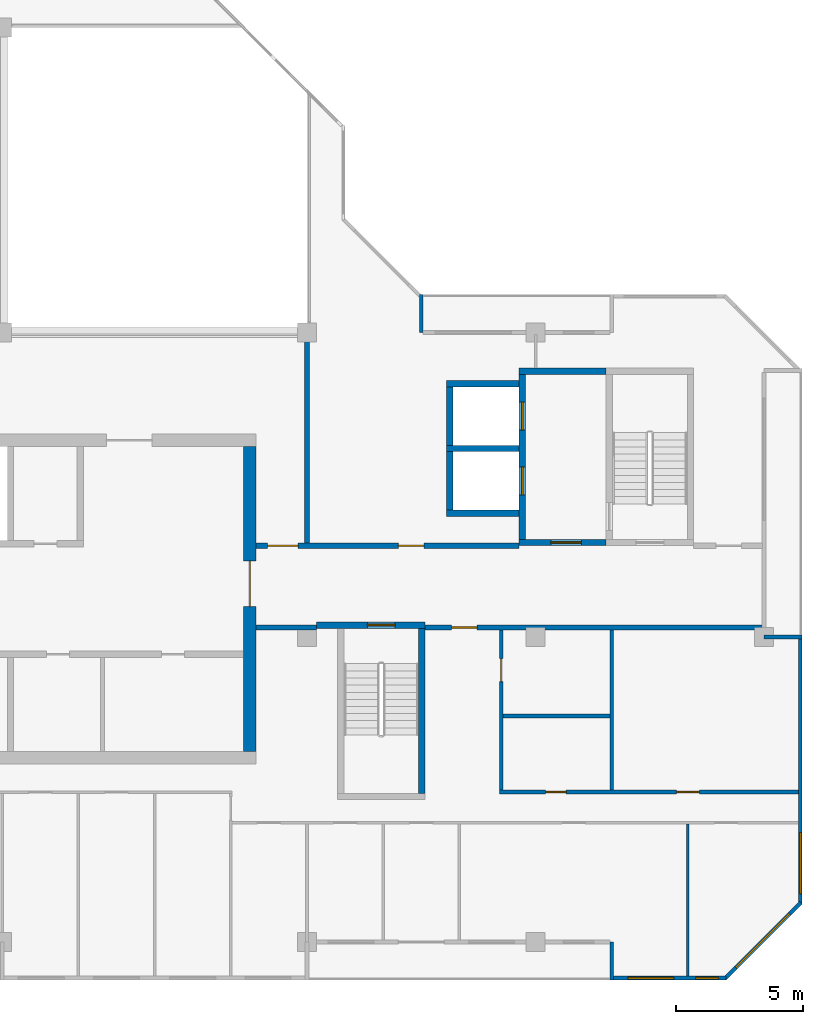
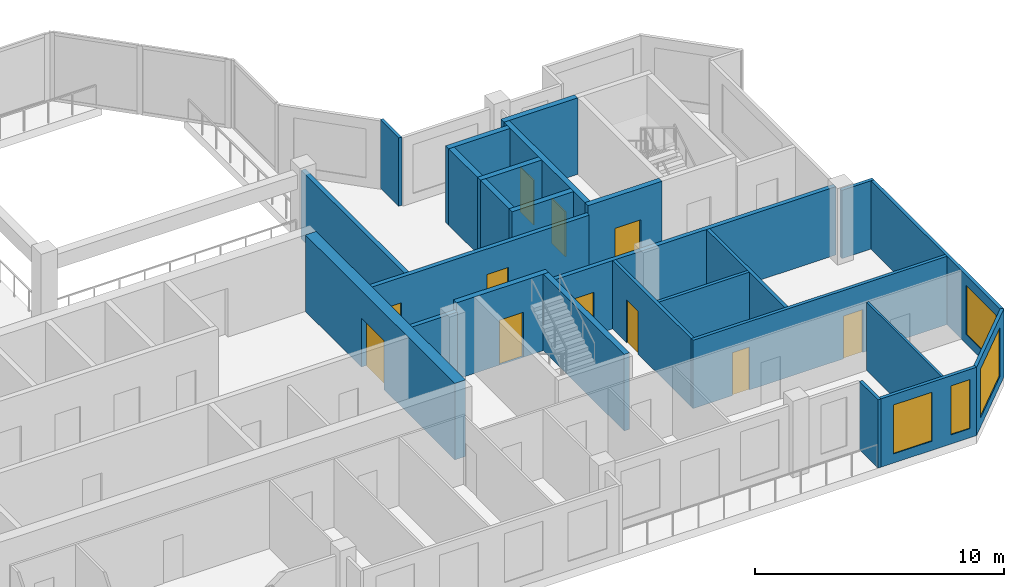
# One storey, part 6 of 12: 26 walls, 11 doors, 4 windows, 15 openings.
"""IFC4 building model written with IfcOpenShell, lengths in metres."""

from ifc_helpers import new_model, si_unit, direction, frame, frame_2d, origin, place, context, subcontext, project, spatial, rectangle, extrude, material, layer, layer_set, type_object, element, fill, save


model = new_model("IFC4")

# Units and contexts
model_context = context("Model", 3, precision=1e-05, world=origin(), true_north=direction((0.0, 1.0)))
body_context = subcontext(model_context, "Body", "Model", "MODEL_VIEW")
ifc_project = project(units=[si_unit("LENGTHUNIT", "METRE"), si_unit("AREAUNIT", "SQUARE_METRE"), si_unit("VOLUMEUNIT", "CUBIC_METRE"), si_unit("PLANEANGLEUNIT", "RADIAN"), si_unit("MASSUNIT", "GRAM", prefix="KILO")], contexts=[model_context])

# Site, building, storey
site_placement = place(None, origin())
site = spatial("IfcSite", under=ifc_project, at=site_placement, CompositionType="ELEMENT")
building_placement = place(site_placement, origin())
building = spatial("IfcBuilding", under=site, at=building_placement, Name="Chenar Terraces", CompositionType="ELEMENT")
storey_placement = place(building_placement, frame((0.0, 0.0, 365.14990234375)))
storey = spatial("IfcBuildingStorey", under=building, at=storey_placement, Name="L85", CompositionType="ELEMENT", Elevation=365.14990234375)

# Wall, opening, door
ifc_material_1 = material(Name="Concrete C50/60", Category="concrete")
ifc_layer_1 = layer(ifc_material_1, 0.25)
ifc_layer_set_1 = layer_set([ifc_layer_1], Name="Concrete C50/60")
wall_type_1 = type_object("IfcWallType", Name="Core wall 250 Concrete C50/60", PredefinedType="SHEAR", material=ifc_layer_set_1)
wall_1_placement = place(storey_placement, frame((36.375, 12.47509765625, 0.0), z_axis=(0.0, 0.0, 1.0), x_axis=(1.0, 0.0, 0.0)))
wall_1 = element("IfcWall", 1, at=wall_1_placement, inside=storey, type_object=wall_type_1, Name="Core wall ST2_N L85", PredefinedType="SHEAR", context=body_context, shape_type="SweptSolid", body=[
    extrude(rectangle(XDim=4.27490234375, YDim=0.25, at=frame_2d((2.137451171875, 0.0))), origin(), (0.0, 0.0, 1.0), 3.75),
])
opening_1_placement = place(wall_1_placement, frame((2.0, 0.0, 0.0)))
opening_1 = element("IfcOpeningElement", 2, at=opening_1_placement, cuts=wall_1, Name="Opening DL85-C7", PredefinedType="OPENING", context=body_context, shape_type="SweptSolid", body=[
    extrude(rectangle(XDim=1.10009765625, YDim=2.199951171875, at=frame_2d((0.550048828125, 1.10009765625))), frame((0.0, 0.135009765625, 0.0), z_axis=(0.0, -1.0, 0.0), x_axis=(1.0, 0.0, 0.0)), (0.0, 0.0, 1.0), 0.27001953125),
])
ifc_material_2 = material(Name="Steel-framed fire-resisting door leaf", Category="steel")
door_type_1 = type_object("IfcDoorType", Name="Stair fire door FD60 1100 x 2200", OperationType="SINGLE_SWING_LEFT", PredefinedType="DOOR", material=ifc_material_2)
door_1_placement = place(opening_1_placement, frame((1.10009765625, 0.0, 0.0), z_axis=(0.0, 0.0, 1.0), x_axis=(-1.0, 0.0, 0.0)))
door_1 = element("IfcDoor", 3, at=door_1_placement, inside=storey, type_object=door_type_1, Name="Stair door DL85-C7", OperationType="SINGLE_SWING_LEFT", OverallHeight=2.199951171875, OverallWidth=1.10009765625, PredefinedType="DOOR", context=body_context, shape_type="SweptSolid", body=[
    extrude(rectangle(XDim=1.10009765625, YDim=2.199951171875, at=frame_2d((0.550048828125, 1.10009765625))), frame((0.0, 0.02490234375, 0.0), z_axis=(0.0, -1.0, 0.0), x_axis=(1.0, 0.0, 0.0)), (0.0, 0.0, 1.0), 0.050048828125),
])
fill(opening_1, door_1)

# Wall
wall_2_placement = place(storey_placement, frame((40.52490234375, 5.85009765625, 0.0), z_axis=(0.0, 0.0, 1.0), x_axis=(0.0, 1.0, 0.0)))
element("IfcWall", 4, at=wall_2_placement, inside=storey, type_object=wall_type_1, Name="Core wall ST2_E L85", PredefinedType="SHEAR", context=body_context, shape_type="SweptSolid", body=[
    extrude(rectangle(XDim=6.5, YDim=0.25, at=frame_2d((3.25, 0.0))), origin(), (0.0, 0.0, 1.0), 3.75),
])

# Wall, opening, door
wall_3_placement = place(storey_placement, frame((44.35009765625, 15.72509765625, 0.0), z_axis=(0.0, 0.0, 1.0), x_axis=(1.0, 0.0, 0.0)))
wall_3 = element("IfcWall", 5, at=wall_3_placement, inside=storey, type_object=wall_type_1, Name="Core wall F3_LS L85", PredefinedType="SHEAR", context=body_context, shape_type="SweptSolid", body=[
    extrude(rectangle(XDim=3.4248046875, YDim=0.25, at=frame_2d((1.71240234375, 0.0))), origin(), (0.0, 0.0, 1.0), 3.75),
])
opening_2_placement = place(wall_3_placement, frame((1.25, 0.0, 0.0)))
opening_2 = element("IfcOpeningElement", 6, at=opening_2_placement, cuts=wall_3, Name="Opening DL85-C10", PredefinedType="OPENING", context=body_context, shape_type="SweptSolid", body=[
    extrude(rectangle(XDim=1.199951171875, YDim=2.199951171875, at=frame_2d((0.60009765625, 1.10009765625))), frame((0.0, 0.135009765625, 0.0), z_axis=(0.0, -1.0, 0.0), x_axis=(1.0, 0.0, 0.0)), (0.0, 0.0, 1.0), 0.27001953125),
])
ifc_material_3 = material(Name="Steel-framed fire-resisting door leaf", Category="steel")
door_type_2 = type_object("IfcDoorType", Name="Lobby fire door FD60 1200 x 2200", OperationType="SINGLE_SWING_LEFT", PredefinedType="DOOR", material=ifc_material_3)
door_2_placement = place(opening_2_placement, origin())
door_2 = element("IfcDoor", 7, at=door_2_placement, inside=storey, type_object=door_type_2, Name="Core door DL85-C10", OperationType="SINGLE_SWING_RIGHT", OverallHeight=2.199951171875, OverallWidth=1.199951171875, PredefinedType="DOOR", context=body_context, shape_type="SweptSolid", body=[
    extrude(rectangle(XDim=1.199951171875, YDim=2.199951171875, at=frame_2d((0.60009765625, 1.10009765625))), frame((0.0, 0.02490234375, 0.0), z_axis=(0.0, -1.0, 0.0), x_axis=(1.0, 0.0, 0.0)), (0.0, 0.0, 1.0), 0.050048828125),
])
fill(opening_2, door_2)

# Wall
wall_4_placement = place(storey_placement, frame((44.35009765625, 22.47509765625, 0.0), z_axis=(0.0, 0.0, 1.0), x_axis=(1.0, 0.0, 0.0)))
element("IfcWall", 8, at=wall_4_placement, inside=storey, type_object=wall_type_1, Name="Core wall F3_LN L85", PredefinedType="SHEAR", context=body_context, shape_type="SweptSolid", body=[
    extrude(rectangle(XDim=3.4248046875, YDim=0.25, at=frame_2d((1.71240234375, 0.0))), origin(), (0.0, 0.0, 1.0), 3.75),
])

# Wall, openings, doors
wall_5_placement = place(storey_placement, frame((44.47509765625, 15.85009765625, 0.0), z_axis=(0.0, 0.0, 1.0), x_axis=(0.0, 1.0, 0.0)))
wall_5 = element("IfcWall", 9, at=wall_5_placement, inside=storey, type_object=wall_type_1, Name="Core wall F3_LW L85", PredefinedType="SHEAR", context=body_context, shape_type="SweptSolid", body=[
    extrude(rectangle(XDim=6.5, YDim=0.25, at=frame_2d((3.25, 0.0))), origin(), (0.0, 0.0, 1.0), 3.75),
])
opening_3_placement = place(wall_5_placement, frame((1.75, 0.0, 0.0)))
opening_3 = element("IfcOpeningElement", 10, at=opening_3_placement, cuts=wall_5, Name="Opening DL85-LD8", PredefinedType="OPENING", context=body_context, shape_type="SweptSolid", body=[
    extrude(rectangle(XDim=1.10009765625, YDim=2.199951171875, at=frame_2d((0.550048828125, 1.10009765625))), frame((0.0, 0.135009765625, 0.0), z_axis=(0.0, -1.0, 0.0), x_axis=(1.0, 0.0, 0.0)), (0.0, 0.0, 1.0), 0.27001953125),
])
opening_4_placement = place(wall_5_placement, frame((4.300048828125, 0.0, 0.0)))
opening_4 = element("IfcOpeningElement", 11, at=opening_4_placement, cuts=wall_5, Name="Opening DL85-LD9", PredefinedType="OPENING", context=body_context, shape_type="SweptSolid", body=[
    extrude(rectangle(XDim=1.10009765625, YDim=2.199951171875, at=frame_2d((0.550048828125, 1.10009765625))), frame((0.0, 0.135009765625, 0.0), z_axis=(0.0, -1.0, 0.0), x_axis=(1.0, 0.0, 0.0)), (0.0, 0.0, 1.0), 0.27001953125),
])
ifc_material_4 = material(Name="Stainless steel", Category="steel")
door_type_3 = type_object("IfcDoorType", Name="Lift landing door 1100 x 2200 sliding", OperationType="DOUBLE_DOOR_SLIDING", PredefinedType="DOOR", material=ifc_material_4)
door_3_placement = place(opening_3_placement, origin())
door_3 = element("IfcDoor", 12, at=door_3_placement, inside=storey, type_object=door_type_3, Name="Landing door F3", OperationType="DOUBLE_DOOR_SLIDING", OverallHeight=2.199951171875, OverallWidth=1.10009765625, PredefinedType="DOOR", context=body_context, shape_type="SweptSolid", body=[
    extrude(rectangle(XDim=1.10009765625, YDim=2.199951171875, at=frame_2d((0.550048828125, 1.10009765625))), frame((0.0, 0.02490234375, 0.0), z_axis=(0.0, -1.0, 0.0), x_axis=(1.0, 0.0, 0.0)), (0.0, 0.0, 1.0), 0.050048828125),
])
fill(opening_3, door_3)
door_4_placement = place(opening_4_placement, origin())
door_4 = element("IfcDoor", 13, at=door_4_placement, inside=storey, type_object=door_type_3, Name="Landing door F4", OperationType="DOUBLE_DOOR_SLIDING", OverallHeight=2.199951171875, OverallWidth=1.10009765625, PredefinedType="DOOR", context=body_context, shape_type="SweptSolid", body=[
    extrude(rectangle(XDim=1.10009765625, YDim=2.199951171875, at=frame_2d((0.550048828125, 1.10009765625))), frame((0.0, 0.02490234375, 0.0), z_axis=(0.0, -1.0, 0.0), x_axis=(1.0, 0.0, 0.0)), (0.0, 0.0, 1.0), 0.050048828125),
])
fill(opening_4, door_4)

# Walls
for number, where, z_axis, x_axis, name in (
    (14, (41.5, 16.875, 0.0), (0.0, 0.0, 1.0), (1.0, 0.0, 0.0), "Core wall F3_SS L85"),
    (15, (41.5, 19.425048828125, 0.0), (0.0, 0.0, 1.0), (1.0, 0.0, 0.0), "Core wall F3_SM L85"),
    (16, (41.5, 21.97509765625, 0.0), (0.0, 0.0, 1.0), (1.0, 0.0, 0.0), "Core wall F4_SN L85"),
):
    element("IfcWall", number, at=place(storey_placement, frame(where, z_axis=z_axis, x_axis=x_axis)), inside=storey, type_object=wall_type_1, Name=name, PredefinedType="SHEAR", context=body_context, shape_type="SweptSolid", body=[
        extrude(rectangle(XDim=2.85009765625, YDim=0.25, at=frame_2d((1.425048828125, 0.0))), origin(), (0.0, 0.0, 1.0), 3.75),
    ])
for number, where, z_axis, x_axis, name in (
    (17, (41.625, 17.0, 0.0), (0.0, 0.0, 1.0), (0.0, 1.0, 0.0), "Core wall F3_SW L85"),
    (18, (41.625, 19.550048828125, 0.0), (0.0, 0.0, 1.0), (0.0, 1.0, 0.0), "Core wall F4_SW L85"),
):
    element("IfcWall", number, at=place(storey_placement, frame(where, z_axis=z_axis, x_axis=x_axis)), inside=storey, type_object=wall_type_1, Name=name, PredefinedType="SHEAR", context=body_context, shape_type="SweptSolid", body=[
        extrude(rectangle(XDim=2.300048828125, YDim=0.25, at=frame_2d((1.14990234375, 0.0))), origin(), (0.0, 0.0, 1.0), 3.75),
    ])

# Wall, opening, door
ifc_material_5 = material(Name="Concrete C50/60", Category="concrete")
ifc_layer_2 = layer(ifc_material_5, 0.5)
ifc_layer_set_2 = layer_set([ifc_layer_2], Name="Concrete C50/60")
wall_type_2 = type_object("IfcWallType", Name="Core wall 500 Concrete C50/60", PredefinedType="SHEAR", material=ifc_layer_set_2)
wall_6_placement = place(storey_placement, frame((33.75, 7.5, 0.0), z_axis=(0.0, 0.0, 1.0), x_axis=(0.0, 1.0, 0.0)))
wall_6 = element("IfcWall", 19, at=wall_6_placement, inside=storey, type_object=wall_type_2, Name="Core wall E L85", PredefinedType="SHEAR", context=body_context, shape_type="SweptSolid", body=[
    extrude(rectangle(XDim=12.0, YDim=0.5, at=frame_2d((6.0, 0.0))), origin(), (0.0, 0.0, 1.0), 3.75),
])
opening_5_placement = place(wall_6_placement, frame((5.699951171875, 0.0, 0.0)))
opening_5 = element("IfcOpeningElement", 20, at=opening_5_placement, cuts=wall_6, Name="Opening DL85-C1", PredefinedType="OPENING", context=body_context, shape_type="SweptSolid", body=[
    extrude(rectangle(XDim=1.800048828125, YDim=2.39990234375, at=frame_2d((0.89990234375, 1.199951171875))), frame((0.0, 0.260009765625, 0.0), z_axis=(0.0, -1.0, 0.0), x_axis=(1.0, 0.0, 0.0)), (0.0, 0.0, 1.0), 0.52001953125),
])
ifc_material_6 = material(Name="Steel-framed fire-resisting door leaf", Category="steel")
door_type_4 = type_object("IfcDoorType", Name="Core entrance double fire door FD60 1800 x 2400", OperationType="DOUBLE_DOOR_SINGLE_SWING", PredefinedType="DOOR", material=ifc_material_6)
door_5_placement = place(opening_5_placement, origin())
door_5 = element("IfcDoor", 21, at=door_5_placement, inside=storey, type_object=door_type_4, Name="Core door DL85-C1", OperationType="DOUBLE_DOOR_SINGLE_SWING", OverallHeight=2.39990234375, OverallWidth=1.800048828125, PredefinedType="DOOR", context=body_context, shape_type="SweptSolid", body=[
    extrude(rectangle(XDim=1.800048828125, YDim=2.39990234375, at=frame_2d((0.89990234375, 1.199951171875))), frame((0.0, 0.02490234375, 0.0), z_axis=(0.0, -1.0, 0.0), x_axis=(1.0, 0.0, 0.0)), (0.0, 0.0, 1.0), 0.050048828125),
])
fill(opening_5, door_5)

# Wall
ifc_material_7 = material(Name="Gypsum board on steel studs with fire boards", Category="steel")
ifc_layer_3 = layer(ifc_material_7, 0.199951171875)
ifc_layer_set_3 = layer_set([ifc_layer_3], Name="Gypsum board on steel studs with fire boards")
wall_type_3 = type_object("IfcWallType", Name="Corridor wall 200", PredefinedType="PARTITIONING", material=ifc_layer_set_3)
wall_7_placement = place(storey_placement, frame((34.0, 12.375, 0.0), z_axis=(0.0, 0.0, 1.0), x_axis=(1.0, 0.0, 0.0)))
element("IfcWall", 22, at=wall_7_placement, inside=storey, type_object=wall_type_3, Name="Partition L85-051", PredefinedType="PARTITIONING", context=body_context, shape_type="SweptSolid", body=[
    extrude(rectangle(XDim=2.3759765625, YDim=0.199951171875, at=frame_2d((1.18798828125, 0.0))), origin(), (0.0, 0.0, 1.0), 3.35009765625),
])

# Wall, openings, doors
wall_8_placement = place(storey_placement, frame((34.0, 15.60009765625, 0.0), z_axis=(0.0, 0.0, 1.0), x_axis=(1.0, 0.0, 0.0)))
wall_8 = element("IfcWall", 23, at=wall_8_placement, inside=storey, type_object=wall_type_3, Name="Partition L85-052", PredefinedType="PARTITIONING", context=body_context, shape_type="SweptSolid", body=[
    extrude(rectangle(XDim=10.35009765625, YDim=0.199951171875, at=frame_2d((5.175048828125, 0.0))), origin(), (0.0, 0.0, 1.0), 3.35009765625),
])
opening_6_placement = place(wall_8_placement, frame((5.60009765625, 0.0, 0.0)))
opening_6 = element("IfcOpeningElement", 24, at=opening_6_placement, cuts=wall_8, Name="Opening DL85-3", PredefinedType="OPENING", context=body_context, shape_type="SweptSolid", body=[
    extrude(rectangle(XDim=1.0, YDim=2.10009765625, at=frame_2d((0.5, 1.050048828125))), frame((0.0, 0.10986328125, 0.0), z_axis=(0.0, -1.0, 0.0), x_axis=(1.0, 0.0, 0.0)), (0.0, 0.0, 1.0), 0.219970703125),
])
opening_7_placement = place(wall_8_placement, frame((0.449951171875, 0.0, 0.0)))
opening_7 = element("IfcOpeningElement", 25, at=opening_7_placement, cuts=wall_8, Name="Opening DL85-19", PredefinedType="OPENING", context=body_context, shape_type="SweptSolid", body=[
    extrude(rectangle(XDim=1.199951171875, YDim=2.10009765625, at=frame_2d((0.60009765625, 1.050048828125))), frame((0.0, 0.10986328125, 0.0), z_axis=(0.0, -1.0, 0.0), x_axis=(1.0, 0.0, 0.0)), (0.0, 0.0, 1.0), 0.219970703125),
])
ifc_material_8 = material(Name="Steel-framed fire-resisting door leaf", Category="steel")
door_type_5 = type_object("IfcDoorType", Name="Fire door FD60 1000 x 2100", OperationType="SINGLE_SWING_LEFT", PredefinedType="DOOR", material=ifc_material_8)
door_6_placement = place(opening_6_placement, origin())
door_6 = element("IfcDoor", 26, at=door_6_placement, inside=storey, type_object=door_type_5, Name="Door DL85-3", OperationType="SINGLE_SWING_RIGHT", OverallHeight=2.10009765625, OverallWidth=1.0, PredefinedType="DOOR", context=body_context, shape_type="SweptSolid", body=[
    extrude(rectangle(XDim=1.0, YDim=2.10009765625, at=frame_2d((0.5, 1.050048828125))), frame((0.0, 0.02490234375, 0.0), z_axis=(0.0, -1.0, 0.0), x_axis=(1.0, 0.0, 0.0)), (0.0, 0.0, 1.0), 0.050048828125),
])
fill(opening_6, door_6)
ifc_material_9 = material(Name="Steel-framed fire-resisting door leaf", Category="steel")
door_type_6 = type_object("IfcDoorType", Name="Fire door FD60 1200 x 2100", OperationType="SINGLE_SWING_LEFT", PredefinedType="DOOR", material=ifc_material_9)
door_7_placement = place(opening_7_placement, origin())
door_7 = element("IfcDoor", 27, at=door_7_placement, inside=storey, type_object=door_type_6, Name="Door DL85-19", OperationType="SINGLE_SWING_RIGHT", OverallHeight=2.10009765625, OverallWidth=1.199951171875, PredefinedType="DOOR", context=body_context, shape_type="SweptSolid", body=[
    extrude(rectangle(XDim=1.199951171875, YDim=2.10009765625, at=frame_2d((0.60009765625, 1.050048828125))), frame((0.0, 0.02490234375, 0.0), z_axis=(0.0, -1.0, 0.0), x_axis=(1.0, 0.0, 0.0)), (0.0, 0.0, 1.0), 0.050048828125),
])
fill(opening_7, door_7)

# Wall
wall_9_placement = place(storey_placement, frame((36.0, 15.699951171875, 0.0), z_axis=(0.0, 0.0, 1.0), x_axis=(0.0, 1.0, 0.0)))
element("IfcWall", 28, at=wall_9_placement, inside=storey, type_object=wall_type_3, Name="Partition L85-054", PredefinedType="PARTITIONING", context=body_context, shape_type="SweptSolid", body=[
    extrude(rectangle(XDim=8.300048828125, YDim=0.199951171875, at=frame_2d((4.14990234375, 0.0))), origin(), (0.0, 0.0, 1.0), 3.35009765625),
])

# Wall, opening, door
wall_10_placement = place(storey_placement, frame((40.64990234375, 12.375, 0.0), z_axis=(0.0, 0.0, 1.0), x_axis=(1.0, 0.0, 0.0)))
wall_10 = element("IfcWall", 29, at=wall_10_placement, inside=storey, type_object=wall_type_3, Name="Partition L85-056", PredefinedType="PARTITIONING", context=body_context, shape_type="SweptSolid", body=[
    extrude(rectangle(XDim=13.276123046875, YDim=0.199951171875, at=frame_2d((6.63818359375, 0.0))), origin(), (0.0, 0.0, 1.0), 3.35009765625),
])
opening_8_placement = place(wall_10_placement, frame((1.050048828125, 0.0, 0.0)))
opening_8 = element("IfcOpeningElement", 30, at=opening_8_placement, cuts=wall_10, Name="Opening DL85-36", PredefinedType="OPENING", context=body_context, shape_type="SweptSolid", body=[
    extrude(rectangle(XDim=1.0, YDim=2.10009765625, at=frame_2d((0.5, 1.050048828125))), frame((0.0, 0.10986328125, 0.0), z_axis=(0.0, -1.0, 0.0), x_axis=(1.0, 0.0, 0.0)), (0.0, 0.0, 1.0), 0.219970703125),
])
ifc_material_10 = material(Name="Steel-framed fire-resisting door leaf", Category="steel")
door_type_7 = type_object("IfcDoorType", Name="Fire door FD30S 1000 x 2100", OperationType="SINGLE_SWING_LEFT", PredefinedType="DOOR", material=ifc_material_10)
door_8_placement = place(opening_8_placement, origin())
door_8 = element("IfcDoor", 31, at=door_8_placement, inside=storey, type_object=door_type_7, Name="Door DL85-36", OperationType="SINGLE_SWING_LEFT", OverallHeight=2.10009765625, OverallWidth=1.0, PredefinedType="DOOR", context=body_context, shape_type="SweptSolid", body=[
    extrude(rectangle(XDim=1.0, YDim=2.10009765625, at=frame_2d((0.5, 1.050048828125))), frame((0.0, 0.02490234375, 0.0), z_axis=(0.0, -1.0, 0.0), x_axis=(1.0, 0.0, 0.0)), (0.0, 0.0, 1.0), 0.050048828125),
])
fill(opening_8, door_8)

# Wall, openings, windows
ifc_material_11 = material(Name="Aluminium framed glazing", Category="aluminium")
ifc_layer_4 = layer(ifc_material_11, 0.14990234375)
ifc_layer_set_4 = layer_set([ifc_layer_4], Name="Aluminium framed glazing")
wall_type_4 = type_object("IfcWallType", Name="Glazed flush facade wall 150", PredefinedType="SOLIDWALL", material=ifc_layer_set_4)
wall_11_placement = place(storey_placement, frame((48.074951171875, -1.425048828125, 0.0), z_axis=(0.0, 0.0, 1.0), x_axis=(1.0, 0.0, 0.0)))
wall_11 = element("IfcWall", 32, at=wall_11_placement, inside=storey, type_object=wall_type_4, Name="Glazed flush facade wall", PredefinedType="SOLIDWALL", context=body_context, shape_type="SweptSolid", body=[
    extrude(rectangle(XDim=4.425048828125, YDim=0.14990234375, at=frame_2d((2.21240234375, 0.0))), origin(), (0.0, 0.0, 1.0), 3.35009765625),
])
opening_9_placement = place(wall_11_placement, frame((0.5625, 0.0, 0.449951171875)))
opening_9 = element("IfcOpeningElement", 33, at=opening_9_placement, cuts=wall_11, Name="Opening W180x240", PredefinedType="OPENING", context=body_context, shape_type="SweptSolid", body=[
    extrude(rectangle(XDim=1.800048828125, YDim=2.39990234375, at=frame_2d((0.89990234375, 1.199951171875))), frame((0.0, 0.0849609375, 0.0), z_axis=(0.0, -1.0, 0.0), x_axis=(1.0, 0.0, 0.0)), (0.0, 0.0, 1.0), 0.169921875),
])
opening_10_placement = place(wall_11_placement, frame((3.22509765625, 0.0, 0.449951171875)))
opening_10 = element("IfcOpeningElement", 34, at=opening_10_placement, cuts=wall_11, Name="Opening W90x240", PredefinedType="OPENING", context=body_context, shape_type="SweptSolid", body=[
    extrude(rectangle(XDim=0.89990234375, YDim=2.39990234375, at=frame_2d((0.449951171875, 1.199951171875))), frame((0.0, 0.0849609375, 0.0), z_axis=(0.0, -1.0, 0.0), x_axis=(1.0, 0.0, 0.0)), (0.0, 0.0, 1.0), 0.169921875),
])
ifc_material_12 = material(Name="Low emissivity double glazing, aluminium frame", Category="aluminium")
window_type_1 = type_object("IfcWindowType", Name="Fixed light 1800 x 2400", PartitioningType="SINGLE_PANEL", PredefinedType="WINDOW", material=ifc_material_12)
window_1_placement = place(opening_9_placement, origin())
window_1 = element("IfcWindow", 35, at=window_1_placement, inside=storey, type_object=window_type_1, Name="Window", OverallHeight=2.39990234375, OverallWidth=1.800048828125, PartitioningType="SINGLE_PANEL", PredefinedType="WINDOW", context=body_context, shape_type="SweptSolid", body=[
    extrude(rectangle(XDim=1.800048828125, YDim=2.39990234375, at=frame_2d((0.89990234375, 1.199951171875))), frame((0.0, 0.030029296875, 0.0), z_axis=(0.0, -1.0, 0.0), x_axis=(1.0, 0.0, 0.0)), (0.0, 0.0, 1.0), 0.06005859375),
])
fill(opening_9, window_1)
ifc_material_13 = material(Name="Low emissivity double glazing, aluminium frame", Category="aluminium")
window_type_2 = type_object("IfcWindowType", Name="Fixed light 900 x 2400", PartitioningType="SINGLE_PANEL", PredefinedType="WINDOW", material=ifc_material_13)
window_2_placement = place(opening_10_placement, origin())
window_2 = element("IfcWindow", 36, at=window_2_placement, inside=storey, type_object=window_type_2, Name="Window", OverallHeight=2.39990234375, OverallWidth=0.89990234375, PartitioningType="SINGLE_PANEL", PredefinedType="WINDOW", context=body_context, shape_type="SweptSolid", body=[
    extrude(rectangle(XDim=0.89990234375, YDim=2.39990234375, at=frame_2d((0.449951171875, 1.199951171875))), frame((0.0, 0.030029296875, 0.0), z_axis=(0.0, -1.0, 0.0), x_axis=(1.0, 0.0, 0.0)), (0.0, 0.0, 1.0), 0.06005859375),
])
fill(opening_10, window_2)

# Wall, opening, window
wall_12_placement = place(storey_placement, frame((55.425048828125, 1.5, 0.0), z_axis=(0.0, 0.0, 1.0), x_axis=(0.0, 1.0, 0.0)))
wall_12 = element("IfcWall", 37, at=wall_12_placement, inside=storey, type_object=wall_type_4, Name="Glazed flush facade wall", PredefinedType="SOLIDWALL", context=body_context, shape_type="SweptSolid", body=[
    extrude(rectangle(XDim=10.425048828125, YDim=0.14990234375, at=frame_2d((5.21240234375, 0.0))), origin(), (0.0, 0.0, 1.0), 3.35009765625),
])
opening_11_placement = place(wall_12_placement, frame((0.39990234375, 0.0, 0.449951171875)))
opening_11 = element("IfcOpeningElement", 38, at=opening_11_placement, cuts=wall_12, Name="Opening W240x240", PredefinedType="OPENING", context=body_context, shape_type="SweptSolid", body=[
    extrude(rectangle(XDim=2.39990234375, YDim=2.39990234375, at=frame_2d((1.199951171875, 1.199951171875))), frame((0.0, 0.0849609375, 0.0), z_axis=(0.0, -1.0, 0.0), x_axis=(1.0, 0.0, 0.0)), (0.0, 0.0, 1.0), 0.169921875),
])
ifc_material_14 = material(Name="Low emissivity double glazing, aluminium frame", Category="aluminium")
window_type_3 = type_object("IfcWindowType", Name="Fixed light 2400 x 2400", PartitioningType="SINGLE_PANEL", PredefinedType="WINDOW", material=ifc_material_14)
window_3_placement = place(opening_11_placement, origin())
window_3 = element("IfcWindow", 39, at=window_3_placement, inside=storey, type_object=window_type_3, Name="Window", OverallHeight=2.39990234375, OverallWidth=2.39990234375, PartitioningType="SINGLE_PANEL", PredefinedType="WINDOW", context=body_context, shape_type="SweptSolid", body=[
    extrude(rectangle(XDim=2.39990234375, YDim=2.39990234375, at=frame_2d((1.199951171875, 1.199951171875))), frame((0.0, 0.030029296875, 0.0), z_axis=(0.0, -1.0, 0.0), x_axis=(1.0, 0.0, 0.0)), (0.0, 0.0, 1.0), 0.06005859375),
])
fill(opening_11, window_3)

# Walls
ifc_material_15 = material(Name="Gypsum board on steel studs", Category="steel")
ifc_layer_5 = layer(ifc_material_15, 0.10009765625)
ifc_layer_set_5 = layer_set([ifc_layer_5], Name="Gypsum board on steel studs")
wall_type_5 = type_object("IfcWallType", Name="Gypsum partition 100", PredefinedType="PARTITIONING", material=ifc_layer_set_5)
wall_13_placement = place(storey_placement, frame((51.0, -1.35009765625, 0.0), z_axis=(0.0, 0.0, 1.0), x_axis=(0.0, 1.0, 0.0)))
element("IfcWall", 40, at=wall_13_placement, inside=storey, type_object=wall_type_5, Name="Partition L85-063", PredefinedType="PARTITIONING", context=body_context, shape_type="SweptSolid", body=[
    extrude(rectangle(XDim=6.0, YDim=0.10009765625, at=frame_2d((3.0, 0.0))), origin(), (0.0, 0.0, 1.0), 3.35009765625),
])
ifc_material_16 = material(Name="Terracotta cladding on insulated backing", Category="masonry")
ifc_layer_6 = layer(ifc_material_16, 0.14990234375)
ifc_layer_set_6 = layer_set([ifc_layer_6], Name="Terracotta cladding on insulated backing")
wall_type_6 = type_object("IfcWallType", Name="Loggia return wall 150", PredefinedType="SOLIDWALL", material=ifc_layer_set_6)
for number, where, z_axis, x_axis, name in (
    (41, (40.5, 25.5, 0.0), (0.0, 0.0, 1.0), (0.0, -1.0, 0.0), "Loggia return wall"),
    (42, (48.0, -1.5, 0.0), (0.0, 0.0, 1.0), (0.0, 1.0, 0.0), "Loggia return wall"),
    (43, (55.5, 12.0, 0.0), (0.0, 0.0, 1.0), (-1.0, 0.0, 0.0), "Loggia return wall"),
):
    element("IfcWall", number, at=place(storey_placement, frame(where, z_axis=z_axis, x_axis=x_axis)), inside=storey, type_object=wall_type_6, Name=name, PredefinedType="SOLIDWALL", context=body_context, shape_type="SweptSolid", body=[
        extrude(rectangle(XDim=1.5, YDim=0.14990234375, at=frame_2d((0.75, 0.0))), origin(), (0.0, 0.0, 1.0), 3.35009765625),
    ])

# Wall, opening, window
ifc_material_17 = material(Name="Terracotta cladding on insulated backing", Category="masonry")
ifc_layer_7 = layer(ifc_material_17, 0.14990234375)
ifc_layer_set_7 = layer_set([ifc_layer_7], Name="Terracotta cladding on insulated backing")
wall_type_7 = type_object("IfcWallType", Name="Terracotta rainscreen wall 150", PredefinedType="SOLIDWALL", material=ifc_layer_set_7)
wall_14_placement = place(storey_placement, frame((52.447021484375, -1.447021484375, 0.0), z_axis=(0.0, 0.0, 1.0), x_axis=(0.707106781187, 0.707106781187, 0.0)))
wall_14 = element("IfcWall", 44, at=wall_14_placement, inside=storey, type_object=wall_type_7, Name="Terracotta rainscreen wall", PredefinedType="SOLIDWALL", context=body_context, shape_type="SweptSolid", body=[
    extrude(rectangle(XDim=4.24267578125, YDim=0.14990234375, at=frame_2d((2.121337890625, 0.0))), origin(), (0.0, 0.0, 1.0), 3.35009765625),
])
opening_12_placement = place(wall_14_placement, frame((0.621337890625, 0.0, 0.449951171875)))
opening_12 = element("IfcOpeningElement", 45, at=opening_12_placement, cuts=wall_14, Name="Opening W300x240", PredefinedType="OPENING", context=body_context, shape_type="SweptSolid", body=[
    extrude(rectangle(XDim=3.0, YDim=2.39990234375, at=frame_2d((1.5, 1.199951171875))), frame((0.0, 0.0849609375, 0.0), z_axis=(0.0, -1.0, 0.0), x_axis=(1.0, 0.0, 0.0)), (0.0, 0.0, 1.0), 0.169921875),
])
ifc_material_18 = material(Name="Low emissivity double glazing, aluminium frame", Category="aluminium")
window_type_4 = type_object("IfcWindowType", Name="Fixed light 3000 x 2400", PartitioningType="SINGLE_PANEL", PredefinedType="WINDOW", material=ifc_material_18)
window_4_placement = place(opening_12_placement, origin())
window_4 = element("IfcWindow", 46, at=window_4_placement, inside=storey, type_object=window_type_4, Name="Window", OverallHeight=2.39990234375, OverallWidth=3.0, PartitioningType="SINGLE_PANEL", PredefinedType="WINDOW", context=body_context, shape_type="SweptSolid", body=[
    extrude(rectangle(XDim=3.0, YDim=2.39990234375, at=frame_2d((1.5, 1.199951171875))), frame((0.0, 0.030029296875, 0.0), z_axis=(0.0, -1.0, 0.0), x_axis=(1.0, 0.0, 0.0)), (0.0, 0.0, 1.0), 0.06005859375),
])
fill(opening_12, window_4)

# Wall, openings, doors
ifc_material_19 = material(Name="Moisture-resistant gypsum board on steel studs", Category="steel")
ifc_layer_8 = layer(ifc_material_19, 0.14990234375)
ifc_layer_set_8 = layer_set([ifc_layer_8], Name="Moisture-resistant gypsum board on steel studs")
wall_type_8 = type_object("IfcWallType", Name="Wet-room partition 150", PredefinedType="PARTITIONING", material=ifc_layer_set_8)
wall_15_placement = place(storey_placement, frame((43.574951171875, 5.89990234375, 0.0), z_axis=(0.0, 0.0, 1.0), x_axis=(1.0, 0.0, 0.0)))
wall_15 = element("IfcWall", 47, at=wall_15_placement, inside=storey, type_object=wall_type_8, Name="Partition L85-058", PredefinedType="PARTITIONING", context=body_context, shape_type="SweptSolid", body=[
    extrude(rectangle(XDim=11.775146484375, YDim=0.14990234375, at=frame_2d((5.8876953125, 0.0))), origin(), (0.0, 0.0, 1.0), 3.35009765625),
])
opening_13_placement = place(wall_15_placement, frame((1.824951171875, 0.0, 0.0)))
opening_13 = element("IfcOpeningElement", 48, at=opening_13_placement, cuts=wall_15, Name="Opening DL85-24", PredefinedType="OPENING", context=body_context, shape_type="SweptSolid", body=[
    extrude(rectangle(XDim=0.800048828125, YDim=2.10009765625, at=frame_2d((0.39990234375, 1.050048828125))), frame((0.0, 0.0849609375, 0.0), z_axis=(0.0, -1.0, 0.0), x_axis=(1.0, 0.0, 0.0)), (0.0, 0.0, 1.0), 0.169921875),
])
opening_14_placement = place(wall_15_placement, frame((6.97509765625, 0.0, 0.0)))
opening_14 = element("IfcOpeningElement", 49, at=opening_14_placement, cuts=wall_15, Name="Opening DL85-35", PredefinedType="OPENING", context=body_context, shape_type="SweptSolid", body=[
    extrude(rectangle(XDim=0.89990234375, YDim=2.10009765625, at=frame_2d((0.449951171875, 1.050048828125))), frame((0.0, 0.0849609375, 0.0), z_axis=(0.0, -1.0, 0.0), x_axis=(1.0, 0.0, 0.0)), (0.0, 0.0, 1.0), 0.169921875),
])
ifc_material_20 = material(Name="Veneered timber door leaf", Category="wood")
door_type_8 = type_object("IfcDoorType", Name="Door 800 x 2100", OperationType="SINGLE_SWING_LEFT", PredefinedType="DOOR", material=ifc_material_20)
door_9_placement = place(opening_13_placement, origin())
door_9 = element("IfcDoor", 50, at=door_9_placement, inside=storey, type_object=door_type_8, Name="Door DL85-24", OperationType="SINGLE_SWING_RIGHT", OverallHeight=2.10009765625, OverallWidth=0.800048828125, PredefinedType="DOOR", context=body_context, shape_type="SweptSolid", body=[
    extrude(rectangle(XDim=0.800048828125, YDim=2.10009765625, at=frame_2d((0.39990234375, 1.050048828125))), frame((0.0, 0.02490234375, 0.0), z_axis=(0.0, -1.0, 0.0), x_axis=(1.0, 0.0, 0.0)), (0.0, 0.0, 1.0), 0.050048828125),
])
fill(opening_13, door_9)
ifc_material_21 = material(Name="Veneered timber door leaf", Category="wood")
door_type_9 = type_object("IfcDoorType", Name="Door 900 x 2100", OperationType="SINGLE_SWING_LEFT", PredefinedType="DOOR", material=ifc_material_21)
door_10_placement = place(opening_14_placement, origin())
door_10 = element("IfcDoor", 51, at=door_10_placement, inside=storey, type_object=door_type_9, Name="Door DL85-35", OperationType="SINGLE_SWING_RIGHT", OverallHeight=2.10009765625, OverallWidth=0.89990234375, PredefinedType="DOOR", context=body_context, shape_type="SweptSolid", body=[
    extrude(rectangle(XDim=0.89990234375, YDim=2.10009765625, at=frame_2d((0.449951171875, 1.050048828125))), frame((0.0, 0.02490234375, 0.0), z_axis=(0.0, -1.0, 0.0), x_axis=(1.0, 0.0, 0.0)), (0.0, 0.0, 1.0), 0.050048828125),
])
fill(opening_14, door_10)

# Wall, opening, door
wall_16_placement = place(storey_placement, frame((43.64990234375, 5.97509765625, 0.0), z_axis=(0.0, 0.0, 1.0), x_axis=(0.0, 1.0, 0.0)))
wall_16 = element("IfcWall", 52, at=wall_16_placement, inside=storey, type_object=wall_type_8, Name="Partition L85-059", PredefinedType="PARTITIONING", context=body_context, shape_type="SweptSolid", body=[
    extrude(rectangle(XDim=6.2998046875, YDim=0.14990234375, at=frame_2d((3.14990234375, 0.0))), origin(), (0.0, 0.0, 1.0), 3.35009765625),
])
opening_15_placement = place(wall_16_placement, frame((4.27490234375, 0.0, 0.0)))
opening_15 = element("IfcOpeningElement", 53, at=opening_15_placement, cuts=wall_16, Name="Opening DL85-37", PredefinedType="OPENING", context=body_context, shape_type="SweptSolid", body=[
    extrude(rectangle(XDim=0.89990234375, YDim=2.10009765625, at=frame_2d((0.449951171875, 1.050048828125))), frame((0.0, 0.0849609375, 0.0), z_axis=(0.0, -1.0, 0.0), x_axis=(1.0, 0.0, 0.0)), (0.0, 0.0, 1.0), 0.169921875),
])
door_11_placement = place(opening_15_placement, frame((0.89990234375, 0.0, 0.0), z_axis=(0.0, 0.0, 1.0), x_axis=(-1.0, 0.0, 0.0)))
door_11 = element("IfcDoor", 54, at=door_11_placement, inside=storey, type_object=door_type_9, Name="Door DL85-37", OperationType="SINGLE_SWING_LEFT", OverallHeight=2.10009765625, OverallWidth=0.89990234375, PredefinedType="DOOR", context=body_context, shape_type="SweptSolid", body=[
    extrude(rectangle(XDim=0.89990234375, YDim=2.10009765625, at=frame_2d((0.449951171875, 1.050048828125))), frame((0.0, 0.02490234375, 0.0), z_axis=(0.0, -1.0, 0.0), x_axis=(1.0, 0.0, 0.0)), (0.0, 0.0, 1.0), 0.050048828125),
])
fill(opening_15, door_11)

# Walls
wall_17_placement = place(storey_placement, frame((43.72509765625, 8.89990234375, 0.0), z_axis=(0.0, 0.0, 1.0), x_axis=(1.0, 0.0, 0.0)))
element("IfcWall", 55, at=wall_17_placement, inside=storey, type_object=wall_type_8, Name="Partition L85-060", PredefinedType="PARTITIONING", context=body_context, shape_type="SweptSolid", body=[
    extrude(rectangle(XDim=4.199951171875, YDim=0.14990234375, at=frame_2d((2.10009765625, 0.0))), origin(), (0.0, 0.0, 1.0), 3.35009765625),
])
wall_18_placement = place(storey_placement, frame((48.0, 5.97509765625, 0.0), z_axis=(0.0, 0.0, 1.0), x_axis=(0.0, 1.0, 0.0)))
element("IfcWall", 56, at=wall_18_placement, inside=storey, type_object=wall_type_8, Name="Partition L85-062", PredefinedType="PARTITIONING", context=body_context, shape_type="SweptSolid", body=[
    extrude(rectangle(XDim=6.2998046875, YDim=0.14990234375, at=frame_2d((3.14990234375, 0.0))), origin(), (0.0, 0.0, 1.0), 3.35009765625),
])

save(model, "model.ifc")
